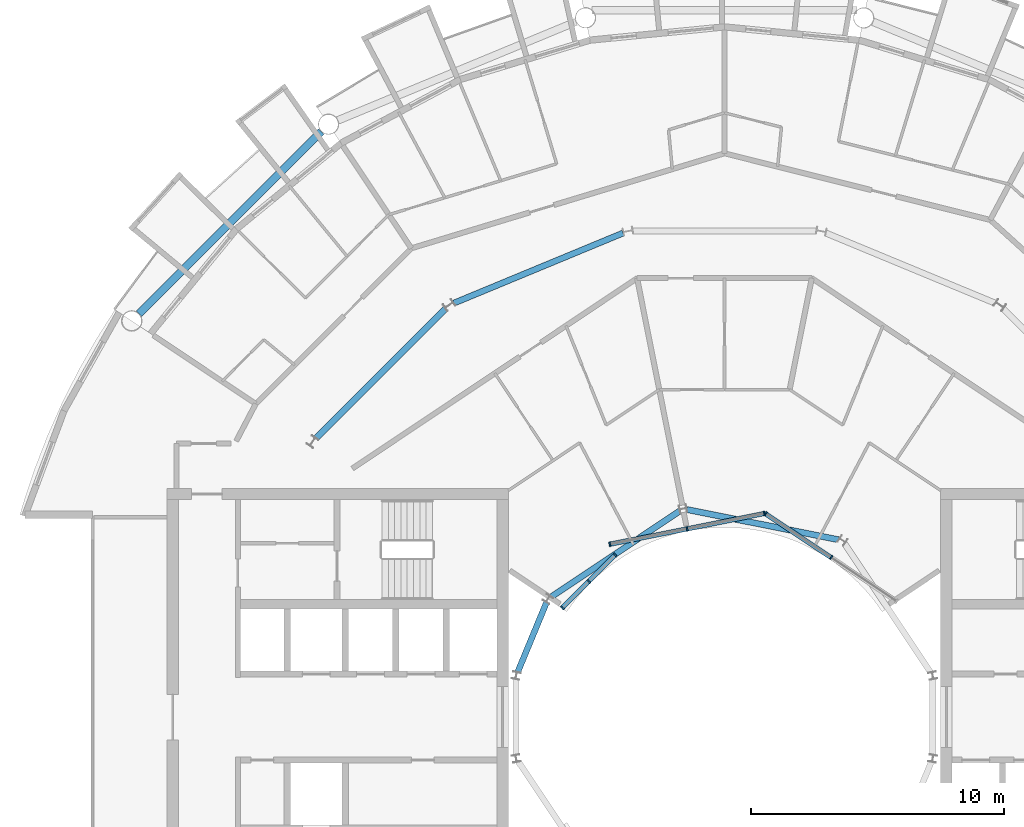
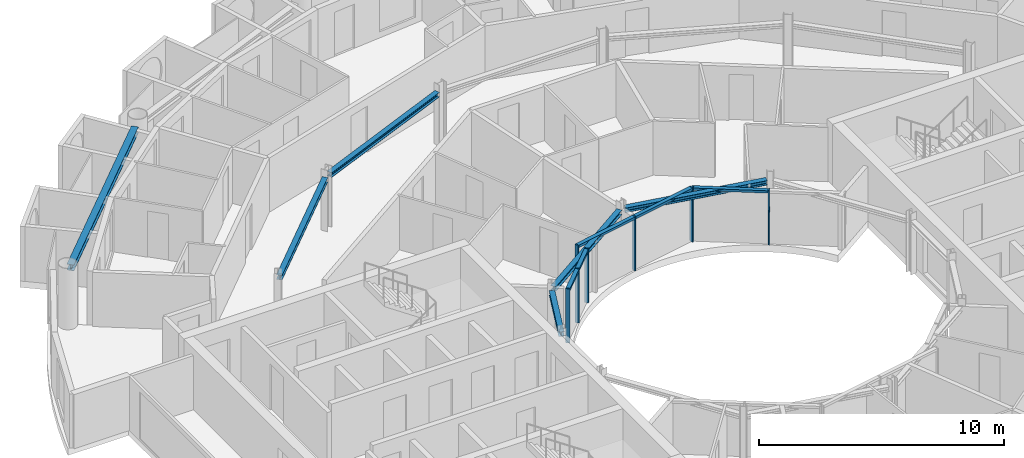
# One storey, part 9 of 27: 13 members, 6 beams, 3 elements without a shape of their own.
"""IFC4 building model written with IfcOpenShell, lengths in metres."""

import ifcopenshell
import ifcopenshell.guid

model = None  # the IFC model being written
_history = None  # IfcOwnerHistory: only IFC2X3 demands one
_inside = {}  # id of a spatial element -> (the spatial element, [elements in it])
_under = {}  # id of a project, library or spatial element -> (it, [spatial elements below it])
_declared = {}  # id of a project -> (the project, [libraries it declares])
_typed = {}  # id of a type object -> (the type object, [elements of that type])
_made_of = {}  # id of a material, layer set ... -> (it, [elements and type objects made of it])


def new_model(schema):
    """Start an empty IFC model of exactly this schema.

    Asked for "IFC4X3", IfcOpenShell would pick the latest addendum, in which some entities
    have other attributes; the version numbers below select the first issue.
    IFC2X3 requires an IfcOwnerHistory on every rooted entity: one is made here for all.
    """
    global model, _history
    if schema == "IFC4X3":
        model = ifcopenshell.file(schema_version=(4, 3, 0, 0))
    else:
        model = ifcopenshell.file(schema=schema)
    _inside.clear()
    _under.clear()
    _declared.clear()
    _typed.clear()
    _made_of.clear()
    _history = None
    if model.schema == "IFC2X3":
        org = make("IfcOrganization", Name="unknown")
        user = make(
            "IfcPersonAndOrganization",
            ThePerson=make("IfcPerson", FamilyName="unknown"),
            TheOrganization=org,
        )
        app = make(
            "IfcApplication",
            ApplicationDeveloper=org,
            Version="unknown",
            ApplicationFullName="unknown",
            ApplicationIdentifier="unknown",
        )
        _history = make(
            "IfcOwnerHistory",
            OwningUser=user,
            OwningApplication=app,
            ChangeAction="ADDED",
            CreationDate=0,
        )
    return model


def make(cls, **values):
    """One entity of the class cls with the attributes given. An attribute that is None is left unset."""
    return model.create_entity(
        cls, **{name: value for name, value in values.items() if value is not None}
    )


def rooted(cls, **values):
    """An entity with a GlobalId (a new one), such as an element, a storey or a relation."""
    return make(cls, GlobalId=ifcopenshell.guid.new(), OwnerHistory=_history, **values)


def si_unit(unit_type, name, prefix=None):
    """IfcSIUnit, for example si_unit("LENGTHUNIT", "METRE", prefix="MILLI")."""
    return make("IfcSIUnit", UnitType=unit_type, Prefix=prefix, Name=name)


def assignment(units):
    """IfcUnitAssignment: the units of a project."""
    return None if units is None else make("IfcUnitAssignment", Units=units)


def point(xyz):
    """IfcCartesianPoint."""
    return None if xyz is None else make("IfcCartesianPoint", Coordinates=xyz)


def direction(xyz):
    """IfcDirection."""
    return None if xyz is None else make("IfcDirection", DirectionRatios=xyz)


def frame(location, z_axis=None, x_axis=None):
    """IfcAxis2Placement3D, a coordinate frame: its origin and axes. An axis left out is left unset."""
    return make(
        "IfcAxis2Placement3D",
        Location=point(location),
        Axis=direction(z_axis),
        RefDirection=direction(x_axis),
    )


def frame_2d(location, x_axis=None):
    """IfcAxis2Placement2D, a coordinate frame in the plane: its origin and x axis."""
    return make(
        "IfcAxis2Placement2D", Location=point(location), RefDirection=direction(x_axis)
    )


def origin():
    """The frame at (0, 0, 0) with its axes left unset."""
    return frame((0.0, 0.0, 0.0))


def origin_2d():
    """The frame at (0, 0) in the plane with its x axis left unset."""
    return frame_2d((0.0, 0.0))


def place(relative_to, where):
    """IfcLocalPlacement: puts the frame where relative to a parent placement (None: the world)."""
    return make(
        "IfcLocalPlacement", PlacementRelTo=relative_to, RelativePlacement=where
    )


def context(
    kind, dimensions, precision=None, world=None, true_north=None, identifier=None
):
    """IfcGeometricRepresentationContext, for example the 3D "Model" context."""
    return make(
        "IfcGeometricRepresentationContext",
        ContextIdentifier=identifier,
        ContextType=kind,
        CoordinateSpaceDimension=dimensions,
        Precision=precision,
        WorldCoordinateSystem=world,
        TrueNorth=true_north,
    )


def subcontext(parent, identifier, kind, view, scale=None):
    """IfcGeometricRepresentationSubContext, for example "Body" below "Model"."""
    return make(
        "IfcGeometricRepresentationSubContext",
        ContextIdentifier=identifier,
        ContextType=kind,
        ParentContext=parent,
        TargetScale=scale,
        TargetView=view,
    )


def project(units=None, contexts=None):
    """IfcProject with its units and contexts."""
    return rooted(
        "IfcProject",
        Name="project",
        RepresentationContexts=contexts,
        UnitsInContext=assignment(units),
    )


def spatial(cls, under=None, at=None, **own):
    """A site, building, storey or space (cls), placed at a placement, below another one or the project."""
    s = rooted(cls, ObjectPlacement=at, **own)
    if under is not None:
        _under.setdefault(under.id(), (under, []))[1].append(s)
    return s


def profile(cls, at=None, kind="AREA", **sizes):
    """A parametric profile (cls). Its sizes go by their IFC names, for example OverallWidth=200.0."""
    return make(cls, ProfileType=kind, Position=at, **sizes)


def rectangle(**sizes):
    """IfcRectangleProfileDef."""
    return profile("IfcRectangleProfileDef", **sizes)


def i_section(**sizes):
    """IfcIShapeProfileDef."""
    return profile("IfcIShapeProfileDef", **sizes)


def extrude(swept, where, along, depth):
    """IfcExtrudedAreaSolid: the profile swept, set in the frame where, extruded along a direction by depth."""
    return make(
        "IfcExtrudedAreaSolid",
        SweptArea=swept,
        Position=where,
        ExtrudedDirection=direction(along),
        Depth=depth,
    )


def shape(context_of_items, identifier, shape_type, items):
    """IfcShapeRepresentation: the items that make up one representation, for example the "Body"."""
    return make(
        "IfcShapeRepresentation",
        ContextOfItems=context_of_items,
        RepresentationIdentifier=identifier,
        RepresentationType=shape_type,
        Items=items,
    )


def material(Name=None, Category=None):
    """IfcMaterial."""
    return make("IfcMaterial", Name=Name, Category=Category)


def layer(
    of_material, thickness, ventilated=None, Name=None, Category=None, Priority=None
):
    """IfcMaterialLayer: one layer of a wall or slab, of a material (None: an air gap)."""
    return make(
        "IfcMaterialLayer",
        Material=of_material,
        LayerThickness=thickness,
        IsVentilated=ventilated,
        Name=Name,
        Category=Category,
        Priority=Priority,
    )


def layer_set(layers, Name=None):
    """IfcMaterialLayerSet."""
    return make("IfcMaterialLayerSet", MaterialLayers=layers, LayerSetName=Name)


def material_profile(
    of_material, cross_section, Name=None, Category=None, Priority=None
):
    """IfcMaterialProfile: a cross section and its material."""
    return make(
        "IfcMaterialProfile",
        Name=Name,
        Material=of_material,
        Profile=cross_section,
        Priority=Priority,
        Category=Category,
    )


def profile_set(profiles, Name=None, composite=None):
    """IfcMaterialProfileSet."""
    return make(
        "IfcMaterialProfileSet",
        Name=Name,
        MaterialProfiles=profiles,
        CompositeProfile=composite,
    )


def made_of(thing, what):
    """Note that an element or type object is made of a material, layer set ...; save() writes the relation."""
    if what is not None:
        _made_of.setdefault(what.id(), (what, []))[1].append(thing)
    return thing


def type_object(cls, material=None, **own):
    """A type object (cls), such as IfcWallType, which elements share."""
    return made_of(rooted(cls, **own), material)


def element(
    cls,
    number,
    at=None,
    inside=None,
    cuts=None,
    type_object=None,
    material=None,
    context=None,
    identifier="Body",
    shape_type=None,
    held_by="IfcProductDefinitionShape",
    body=None,
    shapes=None,
    **own,
):
    """One element of the class cls, such as IfcWall. Its Tag is "e" and its number.

    at: its placement. inside: the storey or other place that contains it. cuts: it is an
    opening in that element (IfcRelVoidsElement). A single representation is given by context,
    identifier, shape_type and body (its items); several are given by shapes. held_by: the class
    of the entity that holds the representations. save() writes the other relations.
    """
    e = rooted(cls, Tag="e%d" % number, ObjectPlacement=at, **own)
    if body is not None:
        shapes = [shape(context, identifier, shape_type, body)]
    if shapes is not None:
        e.Representation = make(held_by, Representations=shapes)
    if inside is not None:
        _inside.setdefault(inside.id(), (inside, []))[1].append(e)
    if cuts is not None:
        rooted(
            "IfcRelVoidsElement", RelatingBuildingElement=cuts, RelatedOpeningElement=e
        )
    if type_object is not None:
        _typed.setdefault(type_object.id(), (type_object, []))[1].append(e)
    return made_of(e, material)


def aggregate(whole, parts):
    """IfcRelAggregates: a whole, such as a stair, and the parts it consists of."""
    return rooted("IfcRelAggregates", RelatingObject=whole, RelatedObjects=parts)


def save(model, path):
    """Write the relations noted so far, then the file.

    IfcRelAggregates (storeys below a building ...), IfcRelContainedInSpatialStructure (elements
    in a storey), IfcRelDefinesByType, IfcRelAssociatesMaterial and IfcRelDeclares: one each for
    every whole, place, type object, material and project.
    """
    for whole, parts in _under.values():
        aggregate(whole, parts)
    for where, things in _inside.values():
        rooted(
            "IfcRelContainedInSpatialStructure",
            RelatedElements=things,
            RelatingStructure=where,
        )
    for kind, things in _typed.values():
        rooted("IfcRelDefinesByType", RelatedObjects=things, RelatingType=kind)
    for what, things in _made_of.values():
        rooted("IfcRelAssociatesMaterial", RelatedObjects=things, RelatingMaterial=what)
    for by, libraries in _declared.values():
        rooted("IfcRelDeclares", RelatingContext=by, RelatedDefinitions=libraries)
    model.write(path)


model = new_model("IFC4")

# Units and contexts
model_context = context("Model", 3, precision=1e-05, world=origin(), true_north=direction((0.0, 1.0)))
body_context = subcontext(model_context, "Body", "Model", "MODEL_VIEW")
ifc_project = project(units=[si_unit("LENGTHUNIT", "METRE"), si_unit("AREAUNIT", "SQUARE_METRE"), si_unit("VOLUMEUNIT", "CUBIC_METRE"), si_unit("PLANEANGLEUNIT", "RADIAN"), si_unit("MASSUNIT", "GRAM", prefix="KILO")], contexts=[model_context])

# Site, building, storey
site_placement = place(None, origin())
site = spatial("IfcSite", under=ifc_project, at=site_placement, CompositionType="ELEMENT")
building_placement = place(site_placement, origin())
building = spatial("IfcBuilding", under=site, at=building_placement, Name="Maasbend Ring Residences", CompositionType="ELEMENT")
storey_placement = place(building_placement, frame((0.0, 0.0, 199.35009765625)))
storey = spatial("IfcBuildingStorey", under=building, at=storey_placement, Name="L57", CompositionType="ELEMENT", Elevation=199.35009765625)

# Curtain wall, members
ifc_material_1 = material(Name="Aluminium and clear glass", Category="aluminium")
ifc_layer = layer(ifc_material_1, 0.179931640625)
ifc_layer_set = layer_set([ifc_layer], Name="CW-W")
curtain_wall_type = type_object("IfcCurtainWallType", Name="CW-W", PredefinedType="NOTDEFINED", material=ifc_layer_set)
curtain_wall_1_placement = place(storey_placement, origin())
curtain_wall_1 = element("IfcCurtainWall", 1, at=curtain_wall_1_placement, inside=storey, type_object=curtain_wall_type, Name="Well curtain wall N1", PredefinedType="NOTDEFINED")
ifc_material_2 = material(Name="Aluminium 6063-T6", Category="aluminium")
ifc_material_profile_1 = material_profile(ifc_material_2, rectangle(XDim=0.179931640625, YDim=0.06005859375, at=origin_2d()), Name="AL 180x60")
ifc_profile_set_1 = profile_set([ifc_material_profile_1], Name="Aluminium 6063-T6")
member_type_1 = type_object("IfcMemberType", Name="CWM-W", PredefinedType="MULLION", material=ifc_profile_set_1)
member_1_placement = place(storey_placement, frame((4.216796875, 6.310791015625, 0.0), z_axis=(0.0, 0.0, 1.0), x_axis=(-0.55557023302, -0.831469612303, 0.0)))
member_1 = element("IfcMember", 2, at=member_1_placement, type_object=member_type_1, Name="Mullion well face", PredefinedType="MULLION", context=body_context, shape_type="SweptSolid", body=[
    extrude(rectangle(XDim=0.179931640625, YDim=0.06005859375, at=origin_2d()), origin(), (0.0, 0.0, 1.0), 2.699951171875),
])
member_2_placement = place(storey_placement, frame((1.627685546875, 8.040771484375, 0.0), z_axis=(0.0, 0.0, 1.0), x_axis=(-0.55557023302, -0.831469612303, 0.0)))
member_2 = element("IfcMember", 3, at=member_2_placement, type_object=member_type_1, Name="Mullion well face", PredefinedType="MULLION", context=body_context, shape_type="SweptSolid", body=[
    extrude(rectangle(XDim=0.179931640625, YDim=0.06005859375, at=origin_2d()), origin(), (0.0, 0.0, 1.0), 2.699951171875),
])

curtain_wall_2_placement = place(storey_placement, origin())
curtain_wall_2 = element("IfcCurtainWall", 4, at=curtain_wall_2_placement, inside=storey, type_object=curtain_wall_type, Name="Well curtain wall N2", PredefinedType="NOTDEFINED")
member_3_placement = place(storey_placement, frame((1.5732421875, 8.0517578125, 0.0), z_axis=(0.0, 0.0, 1.0), x_axis=(0.195090322016, -0.980785280403, 0.0)))
member_3 = element("IfcMember", 5, at=member_3_placement, type_object=member_type_1, Name="Mullion well face", PredefinedType="MULLION", context=body_context, shape_type="SweptSolid", body=[
    extrude(rectangle(XDim=0.179931640625, YDim=0.06005859375, at=origin_2d()), origin(), (0.0, 0.0, 1.0), 2.699951171875),
])
member_4_placement = place(storey_placement, frame((-1.480712890625, 7.444091796875, 0.0), z_axis=(0.0, 0.0, 1.0), x_axis=(0.195090322016, -0.980785280403, 0.0)))
member_4 = element("IfcMember", 6, at=member_4_placement, type_object=member_type_1, Name="Mullion well face", PredefinedType="MULLION", context=body_context, shape_type="SweptSolid", body=[
    extrude(rectangle(XDim=0.179931640625, YDim=0.06005859375, at=origin_2d()), origin(), (0.0, 0.0, 1.0), 2.699951171875),
])
member_5_placement = place(storey_placement, frame((-4.53466796875, 6.836669921875, 0.0), z_axis=(0.0, 0.0, 1.0), x_axis=(0.195090322016, -0.980785280403, 0.0)))
member_5 = element("IfcMember", 7, at=member_5_placement, type_object=member_type_1, Name="Mullion well face", PredefinedType="MULLION", context=body_context, shape_type="SweptSolid", body=[
    extrude(rectangle(XDim=0.179931640625, YDim=0.06005859375, at=origin_2d()), origin(), (0.0, 0.0, 1.0), 2.699951171875),
])

curtain_wall_3_placement = place(storey_placement, origin())
curtain_wall_3 = element("IfcCurtainWall", 8, at=curtain_wall_3_placement, inside=storey, type_object=curtain_wall_type, Name="Well curtain wall N3", PredefinedType="NOTDEFINED")
member_6_placement = place(storey_placement, frame((-4.320556640625, 6.413330078125, 0.0), z_axis=(0.0, 0.0, 1.0), x_axis=(0.707106781187, -0.707106781187, 0.0)))
member_6 = element("IfcMember", 9, at=member_6_placement, type_object=member_type_1, Name="Mullion well face", PredefinedType="MULLION", context=body_context, shape_type="SweptSolid", body=[
    extrude(rectangle(XDim=0.179931640625, YDim=0.06005859375, at=origin_2d()), origin(), (0.0, 0.0, 1.0), 2.699951171875),
])
member_7_placement = place(storey_placement, frame((-5.366943359375, 5.366943359375, 0.0), z_axis=(0.0, 0.0, 1.0), x_axis=(0.707106781187, -0.707106781187, 0.0)))
member_7 = element("IfcMember", 10, at=member_7_placement, type_object=member_type_1, Name="Mullion well face", PredefinedType="MULLION", context=body_context, shape_type="SweptSolid", body=[
    extrude(rectangle(XDim=0.179931640625, YDim=0.06005859375, at=origin_2d()), origin(), (0.0, 0.0, 1.0), 2.699951171875),
])
member_8_placement = place(storey_placement, frame((-6.413330078125, 4.320556640625, 0.0), z_axis=(0.0, 0.0, 1.0), x_axis=(0.707106781187, -0.707106781187, 0.0)))
member_8 = element("IfcMember", 11, at=member_8_placement, type_object=member_type_1, Name="Mullion well face", PredefinedType="MULLION", context=body_context, shape_type="SweptSolid", body=[
    extrude(rectangle(XDim=0.179931640625, YDim=0.06005859375, at=origin_2d()), origin(), (0.0, 0.0, 1.0), 2.699951171875),
])

# Member
ifc_material_3 = material(Name="Aluminium 6063-T6", Category="aluminium")
ifc_material_profile_2 = material_profile(ifc_material_3, rectangle(XDim=0.179931640625, YDim=0.1201171875, at=origin_2d()), Name="AL 180x120")
ifc_profile_set_2 = profile_set([ifc_material_profile_2], Name="Aluminium 6063-T6")
member_type_2 = type_object("IfcMemberType", Name="CWT-W", PredefinedType="USERDEFINED", material=ifc_profile_set_2)
member_9_placement = place(storey_placement, frame((4.19189453125, 6.32763671875, 2.639892578125), z_axis=(-0.831496422459, 0.555530106689, 0.0), x_axis=(-0.555530106689, -0.831496422459, 0.0)))
member_9 = element("IfcMember", 12, at=member_9_placement, type_object=member_type_2, Name="Transom well face", ObjectType="TRANSOM", PredefinedType="USERDEFINED", context=body_context, shape_type="SweptSolid", body=[
    extrude(rectangle(XDim=0.179931640625, YDim=0.1201171875, at=origin_2d()), origin(), (0.0, 0.0, 1.0), 3.053955078125),
])

aggregate(curtain_wall_1, [member_1, member_2, member_9])

member_10_placement = place(storey_placement, frame((1.5439453125, 8.0458984375, 2.639892578125), z_axis=(-0.980776956105, -0.195132166424, 0.0), x_axis=(0.195132166424, -0.980776956105, 0.0)))
member_10 = element("IfcMember", 13, at=member_10_placement, type_object=member_type_2, Name="Transom well face", ObjectType="TRANSOM", PredefinedType="USERDEFINED", context=body_context, shape_type="SweptSolid", body=[
    extrude(rectangle(XDim=0.179931640625, YDim=0.1201171875, at=origin_2d()), origin(), (0.0, 0.0, 1.0), 3.053955078125),
])

member_11_placement = place(storey_placement, frame((-1.51025390625, 7.438232421875, 2.639892578125), z_axis=(-0.980789210404, -0.19507056353, 0.0), x_axis=(0.19507056353, -0.980789210404, 0.0)))
member_11 = element("IfcMember", 14, at=member_11_placement, type_object=member_type_2, Name="Transom well face", ObjectType="TRANSOM", PredefinedType="USERDEFINED", context=body_context, shape_type="SweptSolid", body=[
    extrude(rectangle(XDim=0.179931640625, YDim=0.1201171875, at=origin_2d()), origin(), (0.0, 0.0, 1.0), 3.0537109375),
])

aggregate(curtain_wall_2, [member_3, member_4, member_5, member_10, member_11])

member_12_placement = place(storey_placement, frame((-4.341796875, 6.39208984375, 2.639892578125), z_axis=(-0.707106781187, -0.707106781187, 0.0), x_axis=(0.707106781187, -0.707106781187, 0.0)))
member_12 = element("IfcMember", 15, at=member_12_placement, type_object=member_type_2, Name="Transom well face", ObjectType="TRANSOM", PredefinedType="USERDEFINED", context=body_context, shape_type="SweptSolid", body=[
    extrude(rectangle(XDim=0.179931640625, YDim=0.1201171875, at=origin_2d()), origin(), (0.0, 0.0, 1.0), 1.419677734375),
])

member_13_placement = place(storey_placement, frame((-5.38818359375, 5.345703125, 2.639892578125), z_axis=(-0.707106781187, -0.707106781187, 0.0), x_axis=(0.707106781187, -0.707106781187, 0.0)))
member_13 = element("IfcMember", 16, at=member_13_placement, type_object=member_type_2, Name="Transom well face", ObjectType="TRANSOM", PredefinedType="USERDEFINED", context=body_context, shape_type="SweptSolid", body=[
    extrude(rectangle(XDim=0.179931640625, YDim=0.1201171875, at=origin_2d()), origin(), (0.0, 0.0, 1.0), 1.419677734375),
])

aggregate(curtain_wall_3, [member_6, member_7, member_8, member_12, member_13])

# Beams
ifc_material_4 = material(Name="Steel S355J2", Category="steel")
ifc_material_profile_3 = material_profile(ifc_material_4, i_section(OverallWidth=0.239990234375, OverallDepth=0.22998046875, WebThickness=0.007568359375, FlangeThickness=0.011962890625, FilletRadius=0.02099609375, at=origin_2d()), Name="HEA 240")
ifc_profile_set_3 = profile_set([ifc_material_profile_3], Name="Steel S355J2")
beam_type_1 = type_object("IfcBeamType", Name="Corridor ring beam HEA 240", PredefinedType="BEAM", material=ifc_profile_set_3)
beam_1_placement = place(storey_placement, frame((-4.01220703125, 19.1455078125, 2.5849609375), z_axis=(-0.923865162022, -0.382718123952, 0.0), x_axis=(0.382718123952, -0.923865162022, 0.0)))
element("IfcBeam", 17, at=beam_1_placement, inside=storey, type_object=beam_type_1, Name="Corridor ring beam", PredefinedType="BEAM", context=body_context, shape_type="SweptSolid", body=[
    extrude(i_section(OverallWidth=0.239990234375, OverallDepth=0.22998046875, WebThickness=0.007568359375, FlangeThickness=0.011962890625, FilletRadius=0.02099609375, at=origin_2d()), origin(), (0.0, 0.0, 1.0), 7.23974609375),
])
beam_2_placement = place(storey_placement, frame((-11.033447265625, 16.152587890625, 2.5849609375), z_axis=(-0.707106781187, -0.707106781187, 0.0), x_axis=(0.707106781187, -0.707106781187, 0.0)))
element("IfcBeam", 18, at=beam_2_placement, inside=storey, type_object=beam_type_1, Name="Corridor ring beam", PredefinedType="BEAM", context=body_context, shape_type="SweptSolid", body=[
    extrude(i_section(OverallWidth=0.239990234375, OverallDepth=0.22998046875, WebThickness=0.007568359375, FlangeThickness=0.011962890625, FilletRadius=0.02099609375, at=origin_2d()), origin(), (0.0, 0.0, 1.0), 7.239501953125),
])
ifc_material_5 = material(Name="Steel S355J2", Category="steel")
ifc_material_profile_4 = material_profile(ifc_material_5, i_section(OverallWidth=0.300048828125, OverallDepth=0.300048828125, WebThickness=0.010986328125, FlangeThickness=0.01904296875, FilletRadius=0.027099609375, at=origin_2d()), Name="HEB 300")
ifc_profile_set_4 = profile_set([ifc_material_profile_4], Name="Steel S355J2")
beam_type_2 = type_object("IfcBeamType", Name="Spandrel ring beam HEB 300", PredefinedType="SPANDREL", material=ifc_profile_set_4)
beam_3_placement = place(storey_placement, frame((-15.95458984375, 23.159912109375, 2.5498046875), z_axis=(-0.707106781187, -0.707106781187, 0.0), x_axis=(0.707106781187, -0.707106781187, 0.0)))
element("IfcBeam", 19, at=beam_3_placement, inside=storey, type_object=beam_type_2, Name="Spandrel ring beam", PredefinedType="SPANDREL", context=body_context, shape_type="SweptSolid", body=[
    extrude(i_section(OverallWidth=0.300048828125, OverallDepth=0.300048828125, WebThickness=0.010986328125, FlangeThickness=0.01904296875, FilletRadius=0.027099609375, at=origin_2d()), origin(), (0.0, 0.0, 1.0), 10.18994140625),
])
ifc_material_6 = material(Name="Steel S355J2", Category="steel")
ifc_material_profile_5 = material_profile(ifc_material_6, i_section(OverallWidth=0.239990234375, OverallDepth=0.22998046875, WebThickness=0.007568359375, FlangeThickness=0.011962890625, FilletRadius=0.02099609375, at=origin_2d()), Name="HEA 240")
ifc_profile_set_5 = profile_set([ifc_material_profile_5], Name="Steel S355J2")
beam_type_3 = type_object("IfcBeamType", Name="Well edge beam HEA 240", PredefinedType="BEAM", material=ifc_profile_set_5)
for number, where, z_axis, x_axis, name in (
    (20, (4.512939453125, 7.014892578125, 2.5849609375), (-0.980782836869, 0.195102606089, 0.0), (-0.195102606089, -0.980782836869, 0.0), "Well edge beam"),
    (21, (-1.769287109375, 8.1513671875, 2.5849609375), (-0.831460175376, -0.555584356119, 0.0), (0.555584356119, -0.831460175376, 0.0), "Well edge beam"),
):
    element("IfcBeam", number, at=place(storey_placement, frame(where, z_axis=z_axis, x_axis=x_axis)), inside=storey, type_object=beam_type_3, Name=name, PredefinedType="BEAM", context=body_context, shape_type="SweptSolid", body=[
        extrude(i_section(OverallWidth=0.239990234375, OverallDepth=0.22998046875, WebThickness=0.007568359375, FlangeThickness=0.011962890625, FilletRadius=0.02099609375, at=origin_2d()), origin(), (0.0, 0.0, 1.0), 6.115234375),
    ])
beam_4_placement = place(storey_placement, frame((-7.041015625, 4.5302734375, 2.5849609375), z_axis=(-0.382614534057, -0.923908068115, 0.0), x_axis=(0.923908068115, -0.382614534057, 0.0)))
element("IfcBeam", 22, at=beam_4_placement, inside=storey, type_object=beam_type_3, Name="Well edge beam", PredefinedType="BEAM", context=body_context, shape_type="SweptSolid", body=[
    extrude(i_section(OverallWidth=0.239990234375, OverallDepth=0.22998046875, WebThickness=0.007568359375, FlangeThickness=0.011962890625, FilletRadius=0.02099609375, at=origin_2d()), origin(), (0.0, 0.0, 1.0), 2.981689453125),
])

save(model, "model.ifc")
